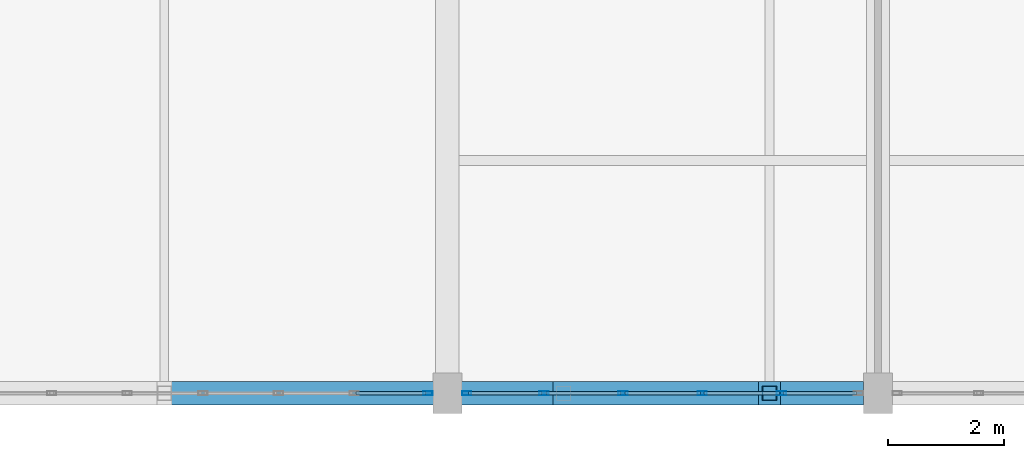
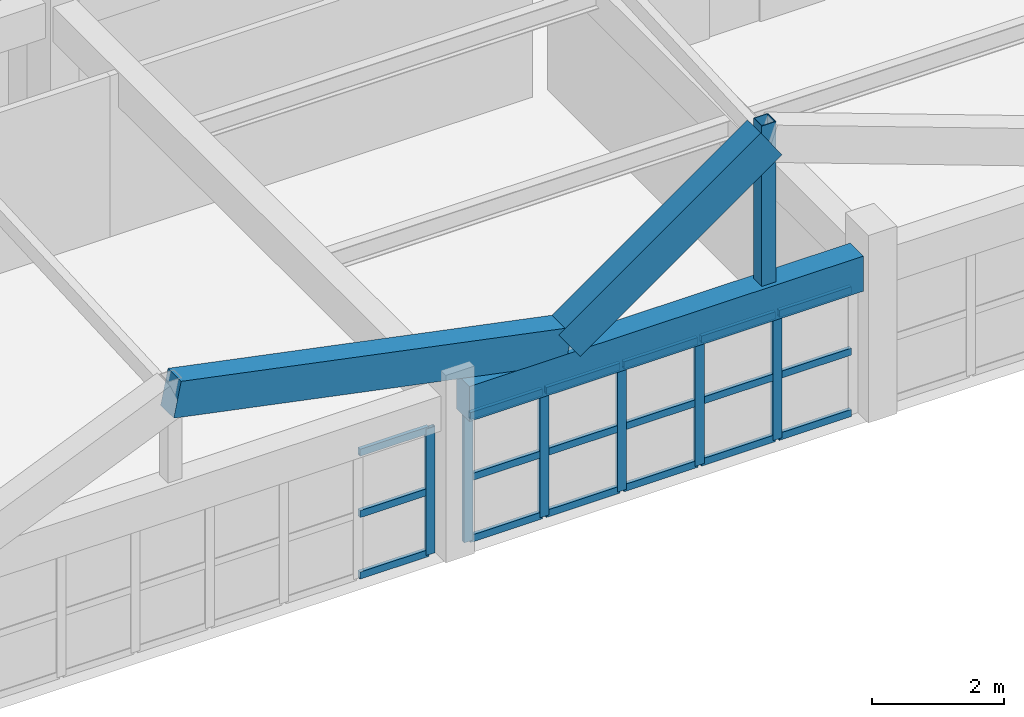
# One storey, part 14 of 127: 25 members, 3 beams, 2 elements without a shape of their own.
"""IFC4 building model written with IfcOpenShell, lengths in metres."""

from ifc_helpers import new_model, si_unit, direction, frame, origin, origin_2d, place, context, subcontext, project, spatial, rectangle, hollow_rectangle, extrude, material, material_profile, profile_set, type_object, element, aggregate, save


model = new_model("IFC4")

# Units and contexts
model_context = context("Model", 3, precision=1e-05, world=origin(), true_north=direction((0.0, 1.0)))
body_context = subcontext(model_context, "Body", "Model", "MODEL_VIEW")
ifc_project = project(units=[si_unit("LENGTHUNIT", "METRE"), si_unit("AREAUNIT", "SQUARE_METRE"), si_unit("VOLUMEUNIT", "CUBIC_METRE"), si_unit("PLANEANGLEUNIT", "RADIAN"), si_unit("MASSUNIT", "GRAM", prefix="KILO")], contexts=[model_context])

# Site, building, storey
site_placement = place(None, origin())
site = spatial("IfcSite", under=ifc_project, at=site_placement, CompositionType="ELEMENT")
building_placement = place(site_placement, origin())
building = spatial("IfcBuilding", under=site, at=building_placement, Name="Kestramere Prow Commons", CompositionType="ELEMENT")
storey_placement = place(building_placement, frame((0.0, 0.0, 8.39990234375)))
storey = spatial("IfcBuildingStorey", under=building, at=storey_placement, Name="L02", CompositionType="ELEMENT", Elevation=8.39990234375)

# Beams
ifc_material_1 = material(Name="Precast concrete C40/50", Category="concrete")
ifc_material_profile_1 = material_profile(ifc_material_1, rectangle(XDim=0.39990234375, YDim=0.64990234375, at=origin_2d()), Name="PC-BM 400x650")
ifc_profile_set_1 = profile_set([ifc_material_profile_1], Name="Precast concrete C40/50")
beam_type = type_object("IfcBeamType", Name="BM-MK-01 PC-BM 400x650 (EX)", PredefinedType="BEAM", material=ifc_profile_set_1)
beam_1_placement = place(storey_placement, frame((68.64990234375, 0.0, 2.675048828125), z_axis=(1.0, 0.0, 0.0), x_axis=(0.0, 1.0, 0.0)))
element("IfcBeam", 1, at=beam_1_placement, inside=storey, type_object=beam_type, Name="Market Spine L02 Beam X 1-2", PredefinedType="BEAM", context=body_context, shape_type="SweptSolid", body=[
    extrude(rectangle(XDim=0.39990234375, YDim=0.64990234375, at=origin_2d()), origin(), (0.0, 0.0, 1.0), 6.900146484375),
])
beam_2_placement = place(storey_placement, frame((63.535888671875, 0.0, 4.545166015625), z_axis=(0.97982286621, 0.0, -0.19986783346), x_axis=(0.0, 1.0, 0.0)))
element("IfcBeam", 2, at=beam_2_placement, inside=storey, type_object=beam_type, Name="Market Folded Rafter 1R-0", PredefinedType="BEAM", context=body_context, shape_type="SweptSolid", body=[
    extrude(rectangle(XDim=0.39990234375, YDim=0.64990234375, at=origin_2d()), origin(), (0.0, 0.0, 1.0), 7.00537109375),
])
beam_3_placement = place(storey_placement, frame((70.39990234375, 0.0, 3.14501953125), z_axis=(0.816542676968, 0.0, 0.577285074023), x_axis=(0.0, 1.0, 0.0)))
element("IfcBeam", 3, at=beam_3_placement, inside=storey, type_object=beam_type, Name="Market Folded Rafter 2L-0", PredefinedType="BEAM", context=body_context, shape_type="SweptSolid", body=[
    extrude(rectangle(XDim=0.39990234375, YDim=0.64990234375, at=origin_2d()), origin(), (0.0, 0.0, 1.0), 4.33056640625),
])

# Member
ifc_material_2 = material(Name="Steel S355JR", Category="steel")
ifc_material_profile_2 = material_profile(ifc_material_2, hollow_rectangle(XDim=0.25, YDim=0.25, WallThickness=0.012451171875, at=origin_2d()), Name="SHS 250x250x12.5")
ifc_profile_set_2 = profile_set([ifc_material_profile_2], Name="Steel S355JR")
member_type_1 = type_object("IfcMemberType", Name="BRAPX-01 SHS 250x250x12.5", PredefinedType="BRACE", material=ifc_profile_set_2)
member_1_placement = place(storey_placement, frame((73.93603515625, 0.0, 2.675048828125), z_axis=(0.0, 0.0, 1.0), x_axis=(1.0, 0.0, 0.0)))
element("IfcMember", 4, at=member_1_placement, inside=storey, type_object=member_type_1, Name="Market Folded Gable Diagonal Brace 2-0", PredefinedType="BRACE", context=body_context, shape_type="SweptSolid", body=[
    extrude(hollow_rectangle(XDim=0.25, YDim=0.25, WallThickness=0.012451171875, at=origin_2d()), origin(), (0.0, 0.0, 1.0), 3.295166015625),
])

# Curtain wall, member
ifc_material_3 = material(Name="Anodised Aluminium and Low-E Glass", Category="aluminium")
curtain_wall_type_1 = type_object("IfcCurtainWallType", Name="CW-28 Glazed Curtain Wall 7800x2340", PredefinedType="USERDEFINED", material=ifc_material_3)
curtain_wall_1_placement = place(storey_placement, origin())
curtain_wall_1 = element("IfcCurtainWall", 5, at=curtain_wall_1_placement, inside=storey, type_object=curtain_wall_type_1, Name="Market L02 South Shopfront 1", ObjectType="GLAZED CURTAIN WALL", PredefinedType="USERDEFINED")
ifc_material_4 = material(Name="Anodised Aluminium 6063-T6", Category="aluminium")
ifc_material_profile_3 = material_profile(ifc_material_4, hollow_rectangle(XDim=0.06494140625, YDim=0.159912109375, WallThickness=0.00390625, at=origin_2d()), Name="ALU-MUL 65x160")
ifc_profile_set_3 = profile_set([ifc_material_profile_3], Name="Anodised Aluminium 6063-T6")
member_type_2 = type_object("IfcMemberType", Name="CW-MUL-65x160", PredefinedType="MULLION", material=ifc_profile_set_3)
member_2_placement = place(storey_placement, frame((68.0673828125, 0.0, 0.0), z_axis=(0.0, 0.0, 1.0), x_axis=(0.0, -1.0, 0.0)))
member_2 = element("IfcMember", 6, at=member_2_placement, type_object=member_type_2, Name="CW-28 mullion 1", PredefinedType="MULLION", context=body_context, shape_type="SweptSolid", body=[
    extrude(hollow_rectangle(XDim=0.06494140625, YDim=0.159912109375, WallThickness=0.00390625, at=origin_2d()), origin(), (0.0, 0.0, 1.0), 2.340087890625),
])

# Curtain wall, members
curtain_wall_type_2 = type_object("IfcCurtainWallType", Name="CW-29 Glazed Curtain Wall 6800x2340", PredefinedType="USERDEFINED", material=ifc_material_3)
curtain_wall_2_placement = place(storey_placement, origin())
curtain_wall_2 = element("IfcCurtainWall", 7, at=curtain_wall_2_placement, inside=storey, type_object=curtain_wall_type_2, Name="Market L02 South Shopfront 2", ObjectType="GLAZED CURTAIN WALL", PredefinedType="USERDEFINED")
member_3_placement = place(storey_placement, frame((74.139892578125, 0.0, 0.0), z_axis=(0.0, 0.0, 1.0), x_axis=(0.0, -1.0, 0.0)))
member_3 = element("IfcMember", 8, at=member_3_placement, type_object=member_type_2, Name="CW-29 mullion 2", PredefinedType="MULLION", context=body_context, shape_type="SweptSolid", body=[
    extrude(hollow_rectangle(XDim=0.06494140625, YDim=0.159912109375, WallThickness=0.00390625, at=origin_2d()), origin(), (0.0, 0.0, 1.0), 2.340087890625),
])
member_4_placement = place(storey_placement, frame((72.780029296875, 0.0, 0.0), z_axis=(0.0, 0.0, 1.0), x_axis=(0.0, -1.0, 0.0)))
member_4 = element("IfcMember", 9, at=member_4_placement, type_object=member_type_2, Name="CW-29 mullion 3", PredefinedType="MULLION", context=body_context, shape_type="SweptSolid", body=[
    extrude(hollow_rectangle(XDim=0.06494140625, YDim=0.159912109375, WallThickness=0.00390625, at=origin_2d()), origin(), (0.0, 0.0, 1.0), 2.340087890625),
])
member_5_placement = place(storey_placement, frame((71.419921875, 0.0, 0.0), z_axis=(0.0, 0.0, 1.0), x_axis=(0.0, -1.0, 0.0)))
member_5 = element("IfcMember", 10, at=member_5_placement, type_object=member_type_2, Name="CW-29 mullion 4", PredefinedType="MULLION", context=body_context, shape_type="SweptSolid", body=[
    extrude(hollow_rectangle(XDim=0.06494140625, YDim=0.159912109375, WallThickness=0.00390625, at=origin_2d()), origin(), (0.0, 0.0, 1.0), 2.340087890625),
])
member_6_placement = place(storey_placement, frame((70.06005859375, 0.0, 0.0), z_axis=(0.0, 0.0, 1.0), x_axis=(0.0, -1.0, 0.0)))
member_6 = element("IfcMember", 11, at=member_6_placement, type_object=member_type_2, Name="CW-29 mullion 5", PredefinedType="MULLION", context=body_context, shape_type="SweptSolid", body=[
    extrude(hollow_rectangle(XDim=0.06494140625, YDim=0.159912109375, WallThickness=0.00390625, at=origin_2d()), origin(), (0.0, 0.0, 1.0), 2.340087890625),
])
member_7_placement = place(storey_placement, frame((68.732421875, 0.0, 0.0), z_axis=(0.0, 0.0, 1.0), x_axis=(0.0, -1.0, 0.0)))
member_7 = element("IfcMember", 12, at=member_7_placement, type_object=member_type_2, Name="CW-29 mullion 6", PredefinedType="MULLION", context=body_context, shape_type="SweptSolid", body=[
    extrude(hollow_rectangle(XDim=0.06494140625, YDim=0.159912109375, WallThickness=0.00390625, at=origin_2d()), origin(), (0.0, 0.0, 1.0), 2.340087890625),
])

# Member
ifc_material_profile_4 = material_profile(ifc_material_4, hollow_rectangle(XDim=0.06494140625, YDim=0.1298828125, WallThickness=0.00390625, at=origin_2d()), Name="ALU-TRN 65x130")
ifc_profile_set_4 = profile_set([ifc_material_profile_4], Name="Anodised Aluminium 6063-T6")
member_type_3 = type_object("IfcMemberType", Name="CW-TRN-65x130", PredefinedType="USERDEFINED", material=ifc_profile_set_4)
member_8_placement = place(storey_placement, frame((68.034912109375, 0.0, 0.03271484375), z_axis=(-1.0, 0.0, 0.0), x_axis=(0.0, -1.0, 0.0)))
member_8 = element("IfcMember", 13, at=member_8_placement, type_object=member_type_3, Name="CW-28 transom 1.1", ObjectType="TRANSOM", PredefinedType="USERDEFINED", context=body_context, shape_type="SweptSolid", body=[
    extrude(hollow_rectangle(XDim=0.06494140625, YDim=0.1298828125, WallThickness=0.00390625, at=origin_2d()), origin(), (0.0, 0.0, 1.0), 1.202392578125),
])

member_9_placement = place(storey_placement, frame((68.034912109375, 0.0, 1.170166015625), z_axis=(-1.0, 0.0, 0.0), x_axis=(0.0, -1.0, 0.0)))
member_9 = element("IfcMember", 14, at=member_9_placement, type_object=member_type_3, Name="CW-28 transom 1.2", ObjectType="TRANSOM", PredefinedType="USERDEFINED", context=body_context, shape_type="SweptSolid", body=[
    extrude(hollow_rectangle(XDim=0.06494140625, YDim=0.1298828125, WallThickness=0.00390625, at=origin_2d()), origin(), (0.0, 0.0, 1.0), 1.202392578125),
])

member_10_placement = place(storey_placement, frame((68.034912109375, 0.0, 2.3076171875), z_axis=(-1.0, 0.0, 0.0), x_axis=(0.0, -1.0, 0.0)))
member_10 = element("IfcMember", 15, at=member_10_placement, type_object=member_type_3, Name="CW-28 transom 1.3", ObjectType="TRANSOM", PredefinedType="USERDEFINED", context=body_context, shape_type="SweptSolid", body=[
    extrude(hollow_rectangle(XDim=0.06494140625, YDim=0.1298828125, WallThickness=0.00390625, at=origin_2d()), origin(), (0.0, 0.0, 1.0), 1.202392578125),
])

aggregate(curtain_wall_1, [member_2, member_8, member_9, member_10])

member_11_placement = place(storey_placement, frame((75.43505859375, 0.0, 0.03271484375), z_axis=(-1.0, 0.0, 0.0), x_axis=(0.0, -1.0, 0.0)))
member_11 = element("IfcMember", 16, at=member_11_placement, type_object=member_type_3, Name="CW-29 transom 1.1", ObjectType="TRANSOM", PredefinedType="USERDEFINED", context=body_context, shape_type="SweptSolid", body=[
    extrude(hollow_rectangle(XDim=0.06494140625, YDim=0.1298828125, WallThickness=0.00390625, at=origin_2d()), origin(), (0.0, 0.0, 1.0), 1.262451171875),
])

member_12_placement = place(storey_placement, frame((75.43505859375, 0.0, 1.170166015625), z_axis=(-1.0, 0.0, 0.0), x_axis=(0.0, -1.0, 0.0)))
member_12 = element("IfcMember", 17, at=member_12_placement, type_object=member_type_3, Name="CW-29 transom 1.2", ObjectType="TRANSOM", PredefinedType="USERDEFINED", context=body_context, shape_type="SweptSolid", body=[
    extrude(hollow_rectangle(XDim=0.06494140625, YDim=0.1298828125, WallThickness=0.00390625, at=origin_2d()), origin(), (0.0, 0.0, 1.0), 1.262451171875),
])

member_13_placement = place(storey_placement, frame((75.43505859375, 0.0, 2.3076171875), z_axis=(-1.0, 0.0, 0.0), x_axis=(0.0, -1.0, 0.0)))
member_13 = element("IfcMember", 18, at=member_13_placement, type_object=member_type_3, Name="CW-29 transom 1.3", ObjectType="TRANSOM", PredefinedType="USERDEFINED", context=body_context, shape_type="SweptSolid", body=[
    extrude(hollow_rectangle(XDim=0.06494140625, YDim=0.1298828125, WallThickness=0.00390625, at=origin_2d()), origin(), (0.0, 0.0, 1.0), 1.262451171875),
])

member_14_placement = place(storey_placement, frame((74.107421875, 0.0, 0.03271484375), z_axis=(-1.0, 0.0, 0.0), x_axis=(0.0, -1.0, 0.0)))
member_14 = element("IfcMember", 19, at=member_14_placement, type_object=member_type_3, Name="CW-29 transom 2.1", ObjectType="TRANSOM", PredefinedType="USERDEFINED", context=body_context, shape_type="SweptSolid", body=[
    extrude(hollow_rectangle(XDim=0.06494140625, YDim=0.1298828125, WallThickness=0.00390625, at=origin_2d()), origin(), (0.0, 0.0, 1.0), 1.294921875),
])

member_15_placement = place(storey_placement, frame((74.107421875, 0.0, 1.170166015625), z_axis=(-1.0, 0.0, 0.0), x_axis=(0.0, -1.0, 0.0)))
member_15 = element("IfcMember", 20, at=member_15_placement, type_object=member_type_3, Name="CW-29 transom 2.2", ObjectType="TRANSOM", PredefinedType="USERDEFINED", context=body_context, shape_type="SweptSolid", body=[
    extrude(hollow_rectangle(XDim=0.06494140625, YDim=0.1298828125, WallThickness=0.00390625, at=origin_2d()), origin(), (0.0, 0.0, 1.0), 1.294921875),
])

member_16_placement = place(storey_placement, frame((74.107421875, 0.0, 2.3076171875), z_axis=(-1.0, 0.0, 0.0), x_axis=(0.0, -1.0, 0.0)))
member_16 = element("IfcMember", 21, at=member_16_placement, type_object=member_type_3, Name="CW-29 transom 2.3", ObjectType="TRANSOM", PredefinedType="USERDEFINED", context=body_context, shape_type="SweptSolid", body=[
    extrude(hollow_rectangle(XDim=0.06494140625, YDim=0.1298828125, WallThickness=0.00390625, at=origin_2d()), origin(), (0.0, 0.0, 1.0), 1.294921875),
])

member_17_placement = place(storey_placement, frame((72.74755859375, 0.0, 0.03271484375), z_axis=(-1.0, 0.0, 0.0), x_axis=(0.0, -1.0, 0.0)))
member_17 = element("IfcMember", 22, at=member_17_placement, type_object=member_type_3, Name="CW-29 transom 3.1", ObjectType="TRANSOM", PredefinedType="USERDEFINED", context=body_context, shape_type="SweptSolid", body=[
    extrude(hollow_rectangle(XDim=0.06494140625, YDim=0.1298828125, WallThickness=0.00390625, at=origin_2d()), origin(), (0.0, 0.0, 1.0), 1.295166015625),
])

member_18_placement = place(storey_placement, frame((72.74755859375, 0.0, 1.170166015625), z_axis=(-1.0, 0.0, 0.0), x_axis=(0.0, -1.0, 0.0)))
member_18 = element("IfcMember", 23, at=member_18_placement, type_object=member_type_3, Name="CW-29 transom 3.2", ObjectType="TRANSOM", PredefinedType="USERDEFINED", context=body_context, shape_type="SweptSolid", body=[
    extrude(hollow_rectangle(XDim=0.06494140625, YDim=0.1298828125, WallThickness=0.00390625, at=origin_2d()), origin(), (0.0, 0.0, 1.0), 1.295166015625),
])

member_19_placement = place(storey_placement, frame((72.74755859375, 0.0, 2.3076171875), z_axis=(-1.0, 0.0, 0.0), x_axis=(0.0, -1.0, 0.0)))
member_19 = element("IfcMember", 24, at=member_19_placement, type_object=member_type_3, Name="CW-29 transom 3.3", ObjectType="TRANSOM", PredefinedType="USERDEFINED", context=body_context, shape_type="SweptSolid", body=[
    extrude(hollow_rectangle(XDim=0.06494140625, YDim=0.1298828125, WallThickness=0.00390625, at=origin_2d()), origin(), (0.0, 0.0, 1.0), 1.295166015625),
])

member_20_placement = place(storey_placement, frame((71.387451171875, 0.0, 0.03271484375), z_axis=(-1.0, 0.0, 0.0), x_axis=(0.0, -1.0, 0.0)))
member_20 = element("IfcMember", 25, at=member_20_placement, type_object=member_type_3, Name="CW-29 transom 4.1", ObjectType="TRANSOM", PredefinedType="USERDEFINED", context=body_context, shape_type="SweptSolid", body=[
    extrude(hollow_rectangle(XDim=0.06494140625, YDim=0.1298828125, WallThickness=0.00390625, at=origin_2d()), origin(), (0.0, 0.0, 1.0), 1.294921875),
])

member_21_placement = place(storey_placement, frame((71.387451171875, 0.0, 1.170166015625), z_axis=(-1.0, 0.0, 0.0), x_axis=(0.0, -1.0, 0.0)))
member_21 = element("IfcMember", 26, at=member_21_placement, type_object=member_type_3, Name="CW-29 transom 4.2", ObjectType="TRANSOM", PredefinedType="USERDEFINED", context=body_context, shape_type="SweptSolid", body=[
    extrude(hollow_rectangle(XDim=0.06494140625, YDim=0.1298828125, WallThickness=0.00390625, at=origin_2d()), origin(), (0.0, 0.0, 1.0), 1.294921875),
])

member_22_placement = place(storey_placement, frame((71.387451171875, 0.0, 2.3076171875), z_axis=(-1.0, 0.0, 0.0), x_axis=(0.0, -1.0, 0.0)))
member_22 = element("IfcMember", 27, at=member_22_placement, type_object=member_type_3, Name="CW-29 transom 4.3", ObjectType="TRANSOM", PredefinedType="USERDEFINED", context=body_context, shape_type="SweptSolid", body=[
    extrude(hollow_rectangle(XDim=0.06494140625, YDim=0.1298828125, WallThickness=0.00390625, at=origin_2d()), origin(), (0.0, 0.0, 1.0), 1.294921875),
])

member_23_placement = place(storey_placement, frame((70.027587890625, 0.0, 0.03271484375), z_axis=(-1.0, 0.0, 0.0), x_axis=(0.0, -1.0, 0.0)))
member_23 = element("IfcMember", 28, at=member_23_placement, type_object=member_type_3, Name="CW-29 transom 5.1", ObjectType="TRANSOM", PredefinedType="USERDEFINED", context=body_context, shape_type="SweptSolid", body=[
    extrude(hollow_rectangle(XDim=0.06494140625, YDim=0.1298828125, WallThickness=0.00390625, at=origin_2d()), origin(), (0.0, 0.0, 1.0), 1.2626953125),
])

member_24_placement = place(storey_placement, frame((70.027587890625, 0.0, 1.170166015625), z_axis=(-1.0, 0.0, 0.0), x_axis=(0.0, -1.0, 0.0)))
member_24 = element("IfcMember", 29, at=member_24_placement, type_object=member_type_3, Name="CW-29 transom 5.2", ObjectType="TRANSOM", PredefinedType="USERDEFINED", context=body_context, shape_type="SweptSolid", body=[
    extrude(hollow_rectangle(XDim=0.06494140625, YDim=0.1298828125, WallThickness=0.00390625, at=origin_2d()), origin(), (0.0, 0.0, 1.0), 1.2626953125),
])

member_25_placement = place(storey_placement, frame((70.027587890625, 0.0, 2.3076171875), z_axis=(-1.0, 0.0, 0.0), x_axis=(0.0, -1.0, 0.0)))
member_25 = element("IfcMember", 30, at=member_25_placement, type_object=member_type_3, Name="CW-29 transom 5.3", ObjectType="TRANSOM", PredefinedType="USERDEFINED", context=body_context, shape_type="SweptSolid", body=[
    extrude(hollow_rectangle(XDim=0.06494140625, YDim=0.1298828125, WallThickness=0.00390625, at=origin_2d()), origin(), (0.0, 0.0, 1.0), 1.2626953125),
])

aggregate(curtain_wall_2, [member_3, member_4, member_5, member_6, member_7, member_11, member_12, member_13, member_14, member_15, member_16, member_17, member_18, member_19, member_20, member_21, member_22, member_23, member_24, member_25])

save(model, "model.ifc")
